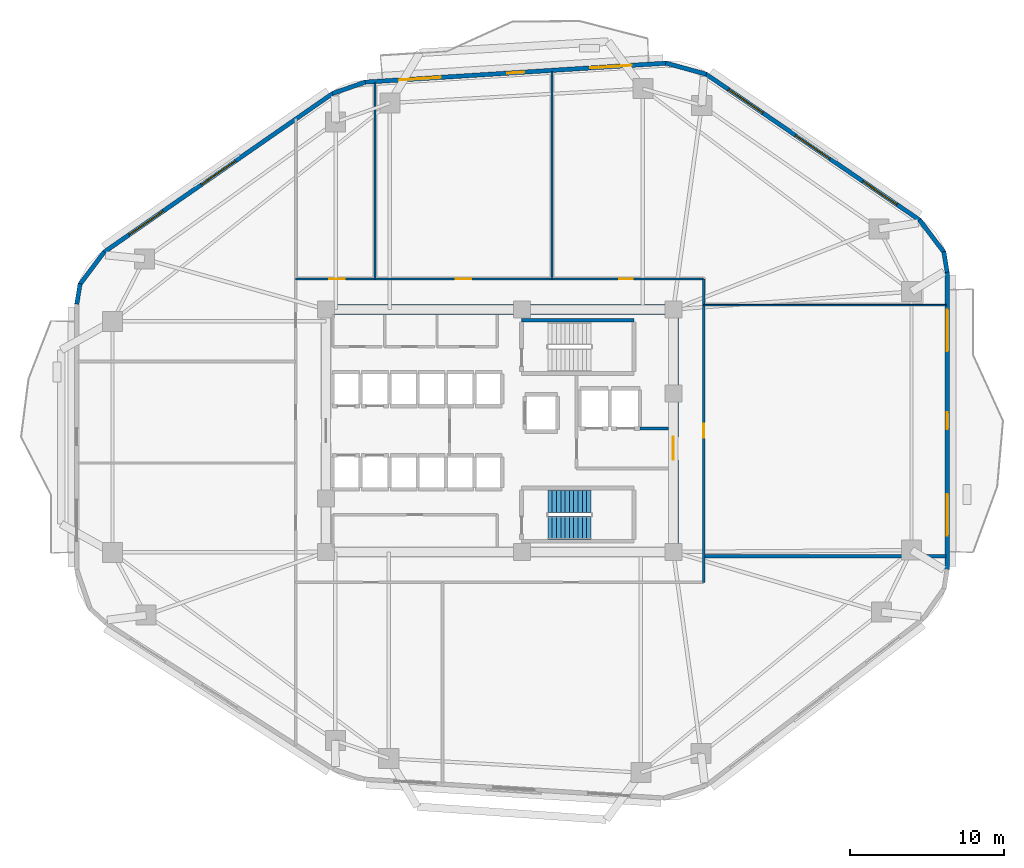
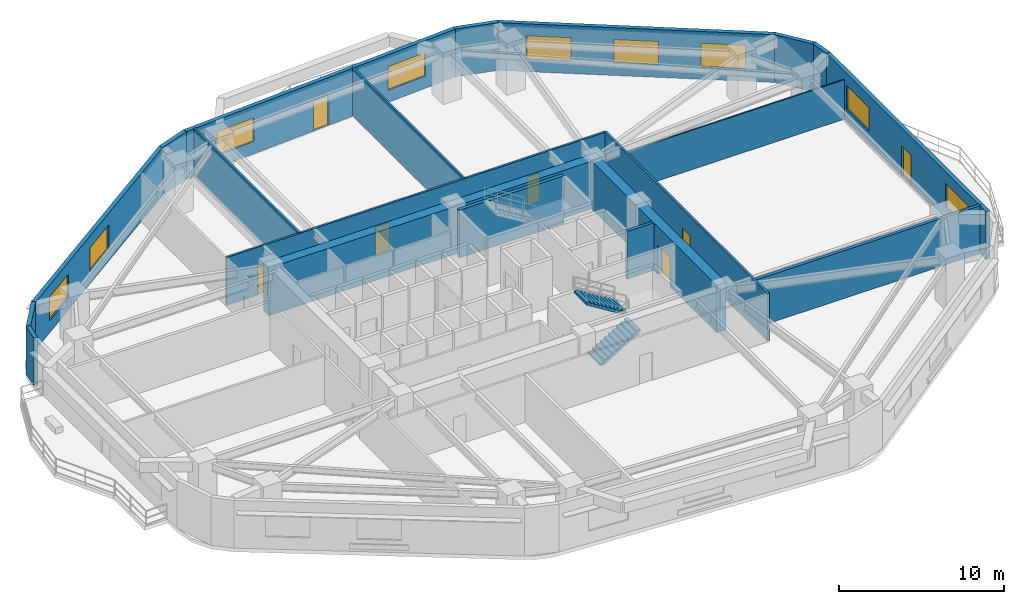
# One storey, part 5 of 9: 20 walls, 9 windows, 7 doors, 2 stair flights, 16 openings, 1 element without a shape of its own.
"""IFC4 building model written with IfcOpenShell, lengths in metres."""

from ifc_helpers import new_model, si_unit, direction, frame, frame_2d, origin, place, context, subcontext, project, spatial, polyline, rectangle, outline, extrude, material, layer, layer_set, type_object, element, fill, aggregate, save


model = new_model("IFC4")

# Units and contexts
model_context = context("Model", 3, precision=1e-05, world=origin(), true_north=direction((0.0, 1.0)))
body_context = subcontext(model_context, "Body", "Model", "MODEL_VIEW")
ifc_project = project(units=[si_unit("LENGTHUNIT", "METRE"), si_unit("AREAUNIT", "SQUARE_METRE"), si_unit("VOLUMEUNIT", "CUBIC_METRE"), si_unit("PLANEANGLEUNIT", "RADIAN"), si_unit("MASSUNIT", "GRAM", prefix="KILO")], contexts=[model_context])

# Site, building, storey
site_placement = place(None, origin())
site = spatial("IfcSite", under=ifc_project, at=site_placement, CompositionType="ELEMENT")
building_placement = place(site_placement, origin())
building = spatial("IfcBuilding", under=site, at=building_placement, Name="Zulverin Broadcast Headquarters", CompositionType="ELEMENT")
storey_placement = place(building_placement, frame((0.0, 0.0, 82.0)))
storey = spatial("IfcBuildingStorey", under=building, at=storey_placement, Name="L20", CompositionType="ELEMENT", Elevation=82.0)

# Walls
ifc_material_1 = material(Name="Double-stud acoustic drywall", Category="gypsum")
ifc_layer_1 = layer(ifc_material_1, 0.219970703125, Name="Double-stud acoustic drywall", Category="gypsum")
ifc_layer_set_1 = layer_set([ifc_layer_1], Name="Double-stud acoustic drywall")
wall_type_1 = type_object("IfcWallType", Name="WL-ACOU-220", PredefinedType="PARTITIONING", material=ifc_layer_set_1)
wall_1_placement = place(storey_placement, frame((50.25, 17.050048828125, 0.0), z_axis=(0.0, 0.0, 1.0), x_axis=(1.0, 0.0, 0.0)))
element("IfcWall", 1, at=wall_1_placement, inside=storey, type_object=wall_type_1, Name="L20 Room Partition Wall RP-07", PredefinedType="PARTITIONING", context=body_context, shape_type="SweptSolid", body=[
    extrude(rectangle(XDim=15.7451171875, YDim=0.219970703125, at=frame_2d((7.87255859375, 0.0))), origin(), (0.0, 0.0, 1.0), 3.52490234375),
])
ifc_material_2 = material(Name="Concrete C60/75", Category="concrete")
ifc_layer_2 = layer(ifc_material_2, 0.64990234375, Name="Concrete C60/75", Category="concrete")
ifc_layer_set_2 = layer_set([ifc_layer_2], Name="Concrete C60/75")
wall_type_2 = type_object("IfcWallType", Name="WL-CORE-650", PredefinedType="SHEAR", material=ifc_layer_set_2)
wall_2_placement = place(storey_placement, frame((25.39990234375, 33.074951171875, 0.0), z_axis=(0.0, 0.0, 1.0), x_axis=(1.0, 0.0, 0.0)))
element("IfcWall", 2, at=wall_2_placement, inside=storey, type_object=wall_type_2, Name="L20 Core North Shear Wall", PredefinedType="SHEAR", context=body_context, shape_type="SweptSolid", body=[
    extrude(rectangle(XDim=23.2001953125, YDim=0.64990234375, at=frame_2d((11.60009765625, 0.0))), origin(), (0.0, 0.0, 1.0), 3.52490234375),
])

# Wall, opening, door
wall_3_placement = place(storey_placement, frame((48.27490234375, 17.64990234375, 0.0), z_axis=(0.0, 0.0, 1.0), x_axis=(0.0, 1.0, 0.0)))
wall_3 = element("IfcWall", 3, at=wall_3_placement, inside=storey, type_object=wall_type_2, Name="L20 Core East Shear Wall", PredefinedType="SHEAR", context=body_context, shape_type="SweptSolid", body=[
    extrude(rectangle(XDim=15.10009765625, YDim=0.64990234375, at=frame_2d((7.550048828125, 0.0))), origin(), (0.0, 0.0, 1.0), 3.52490234375),
])
opening_1_placement = place(wall_3_placement, frame((5.64990234375, 0.0, 0.0)))
opening_1 = element("IfcOpeningElement", 4, at=opening_1_placement, cuts=wall_3, Name="Opening D-L20-CE1", PredefinedType="OPENING", context=body_context, shape_type="SweptSolid", body=[
    extrude(rectangle(XDim=1.5, YDim=2.14990234375, at=frame_2d((0.75, 1.074951171875))), frame((0.0, 0.3349609375, 0.0), z_axis=(0.0, -1.0, 0.0), x_axis=(1.0, 0.0, 0.0)), (0.0, 0.0, 1.0), 0.669921875),
])
ifc_material_3 = material(Name="Fire-rated glazed steel frame", Category="steel")
door_type_1 = type_object("IfcDoorType", Name="DR-COR-1500", OperationType="DOUBLE_DOOR_SINGLE_SWING", PredefinedType="DOOR", material=ifc_material_3)
door_1_placement = place(opening_1_placement, origin())
door_1 = element("IfcDoor", 5, at=door_1_placement, inside=storey, type_object=door_type_1, Name="L20 Firefighting Lobby East Corridor Door", OperationType="DOUBLE_DOOR_SINGLE_SWING", OverallHeight=2.14990234375, OverallWidth=1.5, PredefinedType="DOOR", context=body_context, shape_type="SweptSolid", body=[
    extrude(rectangle(XDim=1.5, YDim=2.14990234375, at=frame_2d((0.75, 1.074951171875))), frame((0.0, 0.02490234375, 0.0), z_axis=(0.0, -1.0, 0.0), x_axis=(1.0, 0.0, 0.0)), (0.0, 0.0, 1.0), 0.050048828125),
])
fill(opening_1, door_1)

# Wall, openings, door, windows
ifc_material_4 = material(Name="Insulated pale-metal clad concrete spandrel C40/50", Category="concrete")
ifc_layer_3 = layer(ifc_material_4, 0.280029296875, Name="Insulated pale-metal clad concrete spandrel C40/50", Category="concrete")
ifc_layer_set_3 = layer_set([ifc_layer_3], Name="Insulated pale-metal clad concrete spandrel C40/50")
wall_type_3 = type_object("IfcWallType", Name="WL-EXT-280", PredefinedType="STANDARD", material=ifc_layer_set_3)
wall_4_placement = place(storey_placement, frame((66.06005859375, 16.183349609375, 0.0), z_axis=(0.0, 0.0, 1.0), x_axis=(0.0, 1.0, 0.0)))
wall_4 = element("IfcWall", 6, at=wall_4_placement, inside=storey, type_object=wall_type_3, Name="L20 Pale-Metal Clad Spandrel Wall 3", PredefinedType="STANDARD", context=body_context, shape_type="SweptSolid", body=[
    extrude(rectangle(XDim=19.3310546875, YDim=0.280029296875, at=frame_2d((9.66552734375, 0.0))), origin(), (0.0, 0.0, 1.0), 3.52490234375),
])
opening_2_placement = place(wall_4_placement, frame((9.115478515625, 0.0, 0.0)))
opening_2 = element("IfcOpeningElement", 7, at=opening_2_placement, cuts=wall_4, Name="Opening D-L20-TR3", PredefinedType="OPENING", context=body_context, shape_type="SweptSolid", body=[
    extrude(rectangle(XDim=1.10009765625, YDim=2.199951171875, at=frame_2d((0.550048828125, 1.10009765625))), frame((0.0, 0.14990234375, 0.0), z_axis=(0.0, -1.0, 0.0), x_axis=(1.0, 0.0, 0.0)), (0.0, 0.0, 1.0), 0.300048828125),
])
opening_3_placement = place(wall_4_placement, frame((2.205078125, 0.0, 0.89990234375)))
opening_3 = element("IfcOpeningElement", 8, at=opening_3_placement, cuts=wall_4, Name="Opening W-L20-E31", PredefinedType="OPENING", context=body_context, shape_type="SweptSolid", body=[
    extrude(rectangle(XDim=2.699951171875, YDim=1.75, at=frame_2d((1.35009765625, 0.875))), frame((0.0, 0.14990234375, 0.0), z_axis=(0.0, -1.0, 0.0), x_axis=(1.0, 0.0, 0.0)), (0.0, 0.0, 1.0), 0.300048828125),
])
opening_4_placement = place(wall_4_placement, frame((14.17578125, 0.0, 0.89990234375)))
opening_4 = element("IfcOpeningElement", 9, at=opening_4_placement, cuts=wall_4, Name="Opening W-L20-E32", PredefinedType="OPENING", context=body_context, shape_type="SweptSolid", body=[
    extrude(rectangle(XDim=2.699951171875, YDim=1.75, at=frame_2d((1.35009765625, 0.875))), frame((0.0, 0.14990234375, 0.0), z_axis=(0.0, -1.0, 0.0), x_axis=(1.0, 0.0, 0.0)), (0.0, 0.0, 1.0), 0.300048828125),
])
ifc_material_5 = material(Name="Thermally broken aluminium glazed", Category="aluminium")
door_type_2 = type_object("IfcDoorType", Name="DR-TERR-1100", OperationType="SINGLE_SWING_RIGHT", PredefinedType="DOOR", material=ifc_material_5)
door_2_placement = place(opening_2_placement, origin())
door_2 = element("IfcDoor", 10, at=door_2_placement, inside=storey, type_object=door_type_2, Name="L20 Planted Terrace Glazed Access Door 3", OperationType="SINGLE_SWING_RIGHT", OverallHeight=2.199951171875, OverallWidth=1.10009765625, PredefinedType="DOOR", context=body_context, shape_type="SweptSolid", body=[
    extrude(rectangle(XDim=1.10009765625, YDim=2.199951171875, at=frame_2d((0.550048828125, 1.10009765625))), frame((0.0, 0.02490234375, 0.0), z_axis=(0.0, -1.0, 0.0), x_axis=(1.0, 0.0, 0.0)), (0.0, 0.0, 1.0), 0.050048828125),
])
fill(opening_2, door_2)
ifc_material_6 = material(Name="Pale anodized aluminium frame with solar-control low-E double glazing", Category="aluminium")
window_type = type_object("IfcWindowType", Name="WIN-TWR-2700", PartitioningType="SINGLE_PANEL", PredefinedType="WINDOW", material=ifc_material_6)
window_1_placement = place(opening_3_placement, origin())
window_1 = element("IfcWindow", 11, at=window_1_placement, inside=storey, type_object=window_type, Name="L20 Ribbon Glazing Window 3 1", OverallHeight=1.75, OverallWidth=2.699951171875, PartitioningType="SINGLE_PANEL", PredefinedType="WINDOW", context=body_context, shape_type="SweptSolid", body=[
    extrude(rectangle(XDim=2.699951171875, YDim=1.75, at=frame_2d((1.35009765625, 0.875))), frame((0.0, 0.030029296875, 0.0), z_axis=(0.0, -1.0, 0.0), x_axis=(1.0, 0.0, 0.0)), (0.0, 0.0, 1.0), 0.06005859375),
])
fill(opening_3, window_1)
window_2_placement = place(opening_4_placement, origin())
window_2 = element("IfcWindow", 12, at=window_2_placement, inside=storey, type_object=window_type, Name="L20 Ribbon Glazing Window 3 2", OverallHeight=1.75, OverallWidth=2.699951171875, PartitioningType="SINGLE_PANEL", PredefinedType="WINDOW", context=body_context, shape_type="SweptSolid", body=[
    extrude(rectangle(XDim=2.699951171875, YDim=1.75, at=frame_2d((1.35009765625, 0.875))), frame((0.0, 0.030029296875, 0.0), z_axis=(0.0, -1.0, 0.0), x_axis=(1.0, 0.0, 0.0)), (0.0, 0.0, 1.0), 0.06005859375),
])
fill(opening_4, window_2)

# Wall, openings, windows
wall_5_placement = place(storey_placement, frame((64.289794921875, 38.8671875, 0.0), z_axis=(0.0, 0.0, 1.0), x_axis=(-0.825755550159, 0.564028165416, 0.0)))
wall_5 = element("IfcWall", 13, at=wall_5_placement, inside=storey, type_object=wall_type_3, Name="L20 Pale-Metal Clad Spandrel Wall 4", PredefinedType="STANDARD", context=body_context, shape_type="SweptSolid", body=[
    extrude(rectangle(XDim=16.848388671875, YDim=0.280029296875, at=frame_2d((8.42431640625, 0.0))), origin(), (0.0, 0.0, 1.0), 3.52490234375),
])
opening_5_placement = place(wall_5_placement, frame((1.79150390625, 0.0, 0.89990234375)))
opening_5 = element("IfcOpeningElement", 14, at=opening_5_placement, cuts=wall_5, Name="Opening W-L20-E41", PredefinedType="OPENING", context=body_context, shape_type="SweptSolid", body=[
    extrude(rectangle(XDim=2.699951171875, YDim=1.75, at=frame_2d((1.35009765625, 0.875))), frame((0.0, 0.14990234375, 0.0), z_axis=(0.0, -1.0, 0.0), x_axis=(1.0, 0.0, 0.0)), (0.0, 0.0, 1.0), 0.300048828125),
])
opening_6_placement = place(wall_5_placement, frame((7.07421875, 0.0, 0.89990234375)))
opening_6 = element("IfcOpeningElement", 15, at=opening_6_placement, cuts=wall_5, Name="Opening W-L20-E42", PredefinedType="OPENING", context=body_context, shape_type="SweptSolid", body=[
    extrude(rectangle(XDim=2.699951171875, YDim=1.75, at=frame_2d((1.35009765625, 0.875))), frame((0.0, 0.14990234375, 0.0), z_axis=(0.0, -1.0, 0.0), x_axis=(1.0, 0.0, 0.0)), (0.0, 0.0, 1.0), 0.300048828125),
])
opening_7_placement = place(wall_5_placement, frame((12.35693359375, 0.0, 0.89990234375)))
opening_7 = element("IfcOpeningElement", 16, at=opening_7_placement, cuts=wall_5, Name="Opening W-L20-E43", PredefinedType="OPENING", context=body_context, shape_type="SweptSolid", body=[
    extrude(rectangle(XDim=2.699951171875, YDim=1.75, at=frame_2d((1.35009765625, 0.875))), frame((0.0, 0.14990234375, 0.0), z_axis=(0.0, -1.0, 0.0), x_axis=(1.0, 0.0, 0.0)), (0.0, 0.0, 1.0), 0.300048828125),
])
window_3_placement = place(opening_5_placement, origin())
window_3 = element("IfcWindow", 17, at=window_3_placement, inside=storey, type_object=window_type, Name="L20 Ribbon Glazing Window 4 1", OverallHeight=1.75, OverallWidth=2.699951171875, PartitioningType="SINGLE_PANEL", PredefinedType="WINDOW", context=body_context, shape_type="SweptSolid", body=[
    extrude(rectangle(XDim=2.699951171875, YDim=1.75, at=frame_2d((1.35009765625, 0.875))), frame((0.0, 0.030029296875, 0.0), z_axis=(0.0, -1.0, 0.0), x_axis=(1.0, 0.0, 0.0)), (0.0, 0.0, 1.0), 0.06005859375),
])
fill(opening_5, window_3)
window_4_placement = place(opening_6_placement, origin())
window_4 = element("IfcWindow", 18, at=window_4_placement, inside=storey, type_object=window_type, Name="L20 Ribbon Glazing Window 4 2", OverallHeight=1.75, OverallWidth=2.699951171875, PartitioningType="SINGLE_PANEL", PredefinedType="WINDOW", context=body_context, shape_type="SweptSolid", body=[
    extrude(rectangle(XDim=2.699951171875, YDim=1.75, at=frame_2d((1.35009765625, 0.875))), frame((0.0, 0.030029296875, 0.0), z_axis=(0.0, -1.0, 0.0), x_axis=(1.0, 0.0, 0.0)), (0.0, 0.0, 1.0), 0.06005859375),
])
fill(opening_6, window_4)
window_5_placement = place(opening_7_placement, origin())
window_5 = element("IfcWindow", 19, at=window_5_placement, inside=storey, type_object=window_type, Name="L20 Ribbon Glazing Window 4 3", OverallHeight=1.75, OverallWidth=2.699951171875, PartitioningType="SINGLE_PANEL", PredefinedType="WINDOW", context=body_context, shape_type="SweptSolid", body=[
    extrude(rectangle(XDim=2.699951171875, YDim=1.75, at=frame_2d((1.35009765625, 0.875))), frame((0.0, 0.030029296875, 0.0), z_axis=(0.0, -1.0, 0.0), x_axis=(1.0, 0.0, 0.0)), (0.0, 0.0, 1.0), 0.06005859375),
])
fill(opening_7, window_5)

# Wall, openings, door, windows
wall_6_placement = place(storey_placement, frame((47.831787109375, 49.0693359375, 0.0), z_axis=(0.0, 0.0, 1.0), x_axis=(-0.998017725054, -0.062933460723, 0.0)))
wall_6 = element("IfcWall", 20, at=wall_6_placement, inside=storey, type_object=wall_type_3, Name="L20 Pale-Metal Clad Spandrel Wall 5", PredefinedType="STANDARD", context=body_context, shape_type="SweptSolid", body=[
    extrude(rectangle(XDim=19.62939453125, YDim=0.280029296875, at=frame_2d((9.814697265625, 0.0))), origin(), (0.0, 0.0, 1.0), 3.52490234375),
])
opening_8_placement = place(wall_6_placement, frame((9.264892578125, 0.0, 0.0)))
opening_8 = element("IfcOpeningElement", 21, at=opening_8_placement, cuts=wall_6, Name="Opening D-L20-TR5", PredefinedType="OPENING", context=body_context, shape_type="SweptSolid", body=[
    extrude(rectangle(XDim=1.10009765625, YDim=2.199951171875, at=frame_2d((0.550048828125, 1.10009765625))), frame((0.0, 0.14990234375, 0.0), z_axis=(0.0, -1.0, 0.0), x_axis=(1.0, 0.0, 0.0)), (0.0, 0.0, 1.0), 0.300048828125),
])
opening_9_placement = place(wall_6_placement, frame((2.2548828125, 0.0, 0.89990234375)))
opening_9 = element("IfcOpeningElement", 22, at=opening_9_placement, cuts=wall_6, Name="Opening W-L20-E51", PredefinedType="OPENING", context=body_context, shape_type="SweptSolid", body=[
    extrude(rectangle(XDim=2.699951171875, YDim=1.75, at=frame_2d((1.35009765625, 0.875))), frame((0.0, 0.14990234375, 0.0), z_axis=(0.0, -1.0, 0.0), x_axis=(1.0, 0.0, 0.0)), (0.0, 0.0, 1.0), 0.300048828125),
])
opening_10_placement = place(wall_6_placement, frame((14.674560546875, 0.0, 0.89990234375)))
opening_10 = element("IfcOpeningElement", 23, at=opening_10_placement, cuts=wall_6, Name="Opening W-L20-E52", PredefinedType="OPENING", context=body_context, shape_type="SweptSolid", body=[
    extrude(rectangle(XDim=2.699951171875, YDim=1.75, at=frame_2d((1.35009765625, 0.875))), frame((0.0, 0.14990234375, 0.0), z_axis=(0.0, -1.0, 0.0), x_axis=(1.0, 0.0, 0.0)), (0.0, 0.0, 1.0), 0.300048828125),
])
door_3_placement = place(opening_8_placement, origin())
door_3 = element("IfcDoor", 24, at=door_3_placement, inside=storey, type_object=door_type_2, Name="L20 Planted Terrace Glazed Access Door 5", OperationType="SINGLE_SWING_RIGHT", OverallHeight=2.199951171875, OverallWidth=1.10009765625, PredefinedType="DOOR", context=body_context, shape_type="SweptSolid", body=[
    extrude(rectangle(XDim=1.10009765625, YDim=2.199951171875, at=frame_2d((0.550048828125, 1.10009765625))), frame((0.0, 0.02490234375, 0.0), z_axis=(0.0, -1.0, 0.0), x_axis=(1.0, 0.0, 0.0)), (0.0, 0.0, 1.0), 0.050048828125),
])
fill(opening_8, door_3)
window_6_placement = place(opening_9_placement, origin())
window_6 = element("IfcWindow", 25, at=window_6_placement, inside=storey, type_object=window_type, Name="L20 Ribbon Glazing Window 5 1", OverallHeight=1.75, OverallWidth=2.699951171875, PartitioningType="SINGLE_PANEL", PredefinedType="WINDOW", context=body_context, shape_type="SweptSolid", body=[
    extrude(rectangle(XDim=2.699951171875, YDim=1.75, at=frame_2d((1.35009765625, 0.875))), frame((0.0, 0.030029296875, 0.0), z_axis=(0.0, -1.0, 0.0), x_axis=(1.0, 0.0, 0.0)), (0.0, 0.0, 1.0), 0.06005859375),
])
fill(opening_9, window_6)
window_7_placement = place(opening_10_placement, origin())
window_7 = element("IfcWindow", 26, at=window_7_placement, inside=storey, type_object=window_type, Name="L20 Ribbon Glazing Window 5 2", OverallHeight=1.75, OverallWidth=2.699951171875, PartitioningType="SINGLE_PANEL", PredefinedType="WINDOW", context=body_context, shape_type="SweptSolid", body=[
    extrude(rectangle(XDim=2.699951171875, YDim=1.75, at=frame_2d((1.35009765625, 0.875))), frame((0.0, 0.030029296875, 0.0), z_axis=(0.0, -1.0, 0.0), x_axis=(1.0, 0.0, 0.0)), (0.0, 0.0, 1.0), 0.06005859375),
])
fill(opening_10, window_7)

# Wall, openings, windows
wall_7_placement = place(storey_placement, frame((26.181884765625, 47.11767578125, 0.0), z_axis=(0.0, 0.0, 1.0), x_axis=(-0.821547956627, -0.570139417127, 0.0)))
wall_7 = element("IfcWall", 27, at=wall_7_placement, inside=storey, type_object=wall_type_3, Name="L20 Pale-Metal Clad Spandrel Wall 6", PredefinedType="STANDARD", context=body_context, shape_type="SweptSolid", body=[
    extrude(rectangle(XDim=18.13232421875, YDim=0.280029296875, at=frame_2d((9.066162109375, 0.0))), origin(), (0.0, 0.0, 1.0), 3.52490234375),
])
opening_11_placement = place(wall_7_placement, frame((7.716064453125, 0.0, 0.89990234375)))
opening_11 = element("IfcOpeningElement", 28, at=opening_11_placement, cuts=wall_7, Name="Opening W-L20-E61", PredefinedType="OPENING", context=body_context, shape_type="SweptSolid", body=[
    extrude(rectangle(XDim=2.699951171875, YDim=1.75, at=frame_2d((1.35009765625, 0.875))), frame((0.0, 0.14990234375, 0.0), z_axis=(0.0, -1.0, 0.0), x_axis=(1.0, 0.0, 0.0)), (0.0, 0.0, 1.0), 0.300048828125),
])
opening_12_placement = place(wall_7_placement, frame((13.427001953125, 0.0, 0.89990234375)))
opening_12 = element("IfcOpeningElement", 29, at=opening_12_placement, cuts=wall_7, Name="Opening W-L20-E62", PredefinedType="OPENING", context=body_context, shape_type="SweptSolid", body=[
    extrude(rectangle(XDim=2.699951171875, YDim=1.75, at=frame_2d((1.35009765625, 0.875))), frame((0.0, 0.14990234375, 0.0), z_axis=(0.0, -1.0, 0.0), x_axis=(1.0, 0.0, 0.0)), (0.0, 0.0, 1.0), 0.300048828125),
])
window_8_placement = place(opening_11_placement, origin())
window_8 = element("IfcWindow", 30, at=window_8_placement, inside=storey, type_object=window_type, Name="L20 Ribbon Glazing Window 6 1", OverallHeight=1.75, OverallWidth=2.699951171875, PartitioningType="SINGLE_PANEL", PredefinedType="WINDOW", context=body_context, shape_type="SweptSolid", body=[
    extrude(rectangle(XDim=2.699951171875, YDim=1.75, at=frame_2d((1.35009765625, 0.875))), frame((0.0, 0.030029296875, 0.0), z_axis=(0.0, -1.0, 0.0), x_axis=(1.0, 0.0, 0.0)), (0.0, 0.0, 1.0), 0.06005859375),
])
fill(opening_11, window_8)
window_9_placement = place(opening_12_placement, origin())
window_9 = element("IfcWindow", 31, at=window_9_placement, inside=storey, type_object=window_type, Name="L20 Ribbon Glazing Window 6 2", OverallHeight=1.75, OverallWidth=2.699951171875, PartitioningType="SINGLE_PANEL", PredefinedType="WINDOW", context=body_context, shape_type="SweptSolid", body=[
    extrude(rectangle(XDim=2.699951171875, YDim=1.75, at=frame_2d((1.35009765625, 0.875))), frame((0.0, 0.030029296875, 0.0), z_axis=(0.0, -1.0, 0.0), x_axis=(1.0, 0.0, 0.0)), (0.0, 0.0, 1.0), 0.06005859375),
])
fill(opening_12, window_9)

# Walls
wall_8_placement = place(storey_placement, frame((66.061767578125, 35.491943359375, 0.0), z_axis=(0.0, 0.0, 1.0), x_axis=(-0.161182073582, 0.986924687682, 0.0)))
element("IfcWall", 32, at=wall_8_placement, inside=storey, type_object=wall_type_3, Name="L20 Wind-Shaped Corner Spandrel Wall 3-1", PredefinedType="STANDARD", context=body_context, shape_type="SweptSolid", body=[
    extrude(rectangle(XDim=1.354248046875, YDim=0.280029296875, at=frame_2d((0.67724609375, 0.0))), origin(), (0.0, 0.0, 1.0), 3.52490234375),
])
wall_9_placement = place(storey_placement, frame((65.8701171875, 36.7666015625, 0.0), z_axis=(0.0, 0.0, 1.0), x_axis=(-0.603370463754, 0.797461023166, 0.0)))
element("IfcWall", 33, at=wall_9_placement, inside=storey, type_object=wall_type_3, Name="L20 Wind-Shaped Corner Spandrel Wall 3-2", PredefinedType="STANDARD", context=body_context, shape_type="SweptSolid", body=[
    extrude(rectangle(XDim=2.6728515625, YDim=0.280029296875, at=frame_2d((1.33642578125, 0.0))), origin(), (0.0, 0.0, 1.0), 3.52490234375),
])
wall_10_placement = place(storey_placement, frame((50.419189453125, 48.3505859375, 0.0), z_axis=(0.0, 0.0, 1.0), x_axis=(-0.964254516967, 0.264977784933, 0.0)))
element("IfcWall", 34, at=wall_10_placement, inside=storey, type_object=wall_type_3, Name="L20 Wind-Shaped Corner Spandrel Wall 4-1", PredefinedType="STANDARD", context=body_context, shape_type="SweptSolid", body=[
    extrude(rectangle(XDim=2.73095703125, YDim=0.280029296875, at=frame_2d((1.365478515625, 0.0))), origin(), (0.0, 0.0, 1.0), 3.52490234375),
])
wall_11_placement = place(storey_placement, frame((28.2783203125, 47.841552734375, 0.0), z_axis=(0.0, 0.0, 1.0), x_axis=(-0.9444559001, -0.328638179106, 0.0)))
element("IfcWall", 35, at=wall_11_placement, inside=storey, type_object=wall_type_3, Name="L20 Wind-Shaped Corner Spandrel Wall 5-1", PredefinedType="STANDARD", context=body_context, shape_type="SweptSolid", body=[
    extrude(rectangle(XDim=2.25537109375, YDim=0.280029296875, at=frame_2d((1.127685546875, 0.0))), origin(), (0.0, 0.0, 1.0), 3.52490234375),
])
wall_12_placement = place(storey_placement, frame((11.317626953125, 36.81103515625, 0.0), z_axis=(0.0, 0.0, 1.0), x_axis=(-0.599455152629, -0.800408345775, 0.0)))
element("IfcWall", 36, at=wall_12_placement, inside=storey, type_object=wall_type_3, Name="L20 Wind-Shaped Corner Spandrel Wall 6-1", PredefinedType="STANDARD", context=body_context, shape_type="SweptSolid", body=[
    extrude(rectangle(XDim=2.6533203125, YDim=0.280029296875, at=frame_2d((1.32666015625, 0.0))), origin(), (0.0, 0.0, 1.0), 3.52490234375),
])
wall_13_placement = place(storey_placement, frame((9.753173828125, 34.748779296875, 0.0), z_axis=(0.0, 0.0, 1.0), x_axis=(-0.160037671962, -0.987110907423, 0.0)))
element("IfcWall", 37, at=wall_13_placement, inside=storey, type_object=wall_type_3, Name="L20 Wind-Shaped Corner Spandrel Wall 6-2", PredefinedType="STANDARD", context=body_context, shape_type="SweptSolid", body=[
    extrude(rectangle(XDim=1.343994140625, YDim=0.280029296875, at=frame_2d((0.671875, 0.0))), origin(), (0.0, 0.0, 1.0), 3.52490234375),
])
ifc_material_7 = material(Name="Concrete C40/50", Category="concrete")
ifc_layer_4 = layer(ifc_material_7, 0.199951171875, Name="Concrete C40/50", Category="concrete")
ifc_layer_set_4 = layer_set([ifc_layer_4], Name="Concrete C40/50")
wall_type_4 = type_object("IfcWallType", Name="WL-FFL-200", PredefinedType="SOLIDWALL", material=ifc_layer_set_4)
wall_14_placement = place(storey_placement, frame((46.10009765625, 25.35009765625, 0.0), z_axis=(0.0, 0.0, 1.0), x_axis=(1.0, 0.0, 0.0)))
element("IfcWall", 38, at=wall_14_placement, inside=storey, type_object=wall_type_4, Name="L20 Firefighting Lift Lobby North Wall", PredefinedType="SOLIDWALL", context=body_context, shape_type="SweptSolid", body=[
    extrude(rectangle(XDim=1.849853515625, YDim=0.199951171875, at=frame_2d((0.9248046875, 0.0))), origin(), (0.0, 0.0, 1.0), 3.52490234375),
])
ifc_material_8 = material(Name="Fire-rated acoustic laminated glass screen", Category="glass")
ifc_layer_5 = layer(ifc_material_8, 0.10009765625, Name="Fire-rated acoustic laminated glass screen", Category="glass")
ifc_layer_set_5 = layer_set([ifc_layer_5], Name="Fire-rated acoustic laminated glass screen")
wall_type_5 = type_object("IfcWallType", Name="WL-GLAZ-100", PredefinedType="PARTITIONING", material=ifc_layer_set_5)
wall_15_placement = place(storey_placement, frame((50.25, 33.35009765625, 0.0), z_axis=(0.0, 0.0, 1.0), x_axis=(1.0, 0.0, 0.0)))
element("IfcWall", 39, at=wall_15_placement, inside=storey, type_object=wall_type_5, Name="L20 Room Partition Wall RP-10", PredefinedType="PARTITIONING", context=body_context, shape_type="SweptSolid", body=[
    extrude(rectangle(XDim=15.7451171875, YDim=0.10009765625, at=frame_2d((7.87255859375, 0.0))), origin(), (0.0, 0.0, 1.0), 2.90771484375),
])

# Wall, opening, door
ifc_material_9 = material(Name="Fire-rated gypsum stud partition", Category="gypsum")
ifc_layer_6 = layer(ifc_material_9, 0.14990234375, Name="Fire-rated gypsum stud partition", Category="gypsum")
ifc_layer_set_6 = layer_set([ifc_layer_6], Name="Fire-rated gypsum stud partition")
wall_type_6 = type_object("IfcWallType", Name="WL-PART-150", PredefinedType="PARTITIONING", material=ifc_layer_set_6)
wall_16_placement = place(storey_placement, frame((50.25, 15.35009765625, 0.0), z_axis=(0.0, 0.0, 1.0), x_axis=(0.0, 1.0, 0.0)))
wall_16 = element("IfcWall", 40, at=wall_16_placement, inside=storey, type_object=wall_type_6, Name="L20 Gallery Partition Wall CG-01", PredefinedType="PARTITIONING", context=body_context, shape_type="SweptSolid", body=[
    extrude(rectangle(XDim=19.699951171875, YDim=0.14990234375, at=frame_2d((9.85009765625, 0.0))), origin(), (0.0, 0.0, 1.0), 3.52490234375),
])
opening_13_placement = place(wall_16_placement, frame((9.39990234375, 0.0, 0.0)))
opening_13 = element("IfcOpeningElement", 41, at=opening_13_placement, cuts=wall_16, Name="Opening D-L20-09", PredefinedType="OPENING", context=body_context, shape_type="SweptSolid", body=[
    extrude(rectangle(XDim=0.89990234375, YDim=2.10009765625, at=frame_2d((0.449951171875, 1.050048828125))), frame((0.0, 0.0849609375, 0.0), z_axis=(0.0, -1.0, 0.0), x_axis=(1.0, 0.0, 0.0)), (0.0, 0.0, 1.0), 0.169921875),
])
ifc_material_10 = material(Name="Fire-rated hardwood veneer timber leaf", Category="wood")
door_type_3 = type_object("IfcDoorType", Name="DR-ROOM-900", OperationType="SINGLE_SWING_RIGHT", PredefinedType="DOOR", material=ifc_material_10)
door_4_placement = place(opening_13_placement, origin())
door_4 = element("IfcDoor", 42, at=door_4_placement, inside=storey, type_object=door_type_3, Name="L20 Interview Room Door", OperationType="SINGLE_SWING_RIGHT", OverallHeight=2.10009765625, OverallWidth=0.89990234375, PredefinedType="DOOR", context=body_context, shape_type="SweptSolid", body=[
    extrude(rectangle(XDim=0.89990234375, YDim=2.10009765625, at=frame_2d((0.449951171875, 1.050048828125))), frame((0.0, 0.02490234375, 0.0), z_axis=(0.0, -1.0, 0.0), x_axis=(1.0, 0.0, 0.0)), (0.0, 0.0, 1.0), 0.050048828125),
])
fill(opening_13, door_4)

# Walls
wall_17_placement = place(storey_placement, frame((40.39990234375, 35.050048828125, 0.0), z_axis=(0.0, 0.0, 1.0), x_axis=(0.0, 1.0, 0.0)))
element("IfcWall", 43, at=wall_17_placement, inside=storey, type_object=wall_type_6, Name="L20 Room Partition Wall RP-02", PredefinedType="PARTITIONING", context=body_context, shape_type="SweptSolid", body=[
    extrude(rectangle(XDim=13.48583984375, YDim=0.14990234375, at=frame_2d((6.742919921875, 0.0))), origin(), (0.0, 0.0, 1.0), 3.52490234375),
])
wall_18_placement = place(storey_placement, frame((28.89990234375, 35.050048828125, 0.0), z_axis=(0.0, 0.0, 1.0), x_axis=(0.0, 1.0, 0.0)))
element("IfcWall", 44, at=wall_18_placement, inside=storey, type_object=wall_type_6, Name="L20 Room Partition Wall RP-04", PredefinedType="PARTITIONING", context=body_context, shape_type="SweptSolid", body=[
    extrude(rectangle(XDim=12.7607421875, YDim=0.14990234375, at=frame_2d((6.38037109375, 0.0))), origin(), (0.0, 0.0, 1.0), 3.52490234375),
])

# Wall, openings, doors
wall_19_placement = place(storey_placement, frame((23.75, 35.050048828125, 0.0), z_axis=(0.0, 0.0, 1.0), x_axis=(1.0, 0.0, 0.0)))
wall_19 = element("IfcWall", 45, at=wall_19_placement, inside=storey, type_object=wall_type_6, Name="L20 Gallery Partition Wall CG-11", PredefinedType="PARTITIONING", context=body_context, shape_type="SweptSolid", body=[
    extrude(rectangle(XDim=26.5, YDim=0.14990234375, at=frame_2d((13.25, 0.0))), origin(), (0.0, 0.0, 1.0), 3.52490234375),
])
opening_14_placement = place(wall_19_placement, frame((2.195068359375, 0.0, 0.0)))
opening_14 = element("IfcOpeningElement", 46, at=opening_14_placement, cuts=wall_19, Name="Opening D-L20-01", PredefinedType="OPENING", context=body_context, shape_type="SweptSolid", body=[
    extrude(rectangle(XDim=1.0, YDim=2.1201171875, at=frame_2d((0.5, 1.06005859375))), frame((0.0, 0.0849609375, 0.0), z_axis=(0.0, -1.0, 0.0), x_axis=(1.0, 0.0, 0.0)), (0.0, 0.0, 1.0), 0.169921875),
])
opening_15_placement = place(wall_19_placement, frame((10.39990234375, 0.0, 0.0)))
opening_15 = element("IfcOpeningElement", 47, at=opening_15_placement, cuts=wall_19, Name="Opening D-L20-02", PredefinedType="OPENING", context=body_context, shape_type="SweptSolid", body=[
    extrude(rectangle(XDim=1.0, YDim=2.1201171875, at=frame_2d((0.5, 1.06005859375))), frame((0.0, 0.0849609375, 0.0), z_axis=(0.0, -1.0, 0.0), x_axis=(1.0, 0.0, 0.0)), (0.0, 0.0, 1.0), 0.169921875),
])
opening_16_placement = place(wall_19_placement, frame((21.0048828125, 0.0, 0.0)))
opening_16 = element("IfcOpeningElement", 48, at=opening_16_placement, cuts=wall_19, Name="Opening D-L20-03", PredefinedType="OPENING", context=body_context, shape_type="SweptSolid", body=[
    extrude(rectangle(XDim=0.89990234375, YDim=2.10009765625, at=frame_2d((0.449951171875, 1.050048828125))), frame((0.0, 0.0849609375, 0.0), z_axis=(0.0, -1.0, 0.0), x_axis=(1.0, 0.0, 0.0)), (0.0, 0.0, 1.0), 0.169921875),
])
ifc_material_11 = material(Name="Hardwood veneer acoustic leaf", Category="wood")
door_type_4 = type_object("IfcDoorType", Name="DR-OFF-1000", OperationType="SINGLE_SWING_LEFT", PredefinedType="DOOR", material=ifc_material_11)
door_5_placement = place(opening_14_placement, origin())
door_5 = element("IfcDoor", 49, at=door_5_placement, inside=storey, type_object=door_type_4, Name="L20 Digital Media Office Door", OperationType="SINGLE_SWING_RIGHT", OverallHeight=2.1201171875, OverallWidth=1.0, PredefinedType="DOOR", context=body_context, shape_type="SweptSolid", body=[
    extrude(rectangle(XDim=1.0, YDim=2.1201171875, at=frame_2d((0.5, 1.06005859375))), frame((0.0, 0.02490234375, 0.0), z_axis=(0.0, -1.0, 0.0), x_axis=(1.0, 0.0, 0.0)), (0.0, 0.0, 1.0), 0.050048828125),
])
fill(opening_14, door_5)
door_6_placement = place(opening_15_placement, origin())
door_6 = element("IfcDoor", 50, at=door_6_placement, inside=storey, type_object=door_type_4, Name="L20 Investigative Office Door", OperationType="SINGLE_SWING_LEFT", OverallHeight=2.1201171875, OverallWidth=1.0, PredefinedType="DOOR", context=body_context, shape_type="SweptSolid", body=[
    extrude(rectangle(XDim=1.0, YDim=2.1201171875, at=frame_2d((0.5, 1.06005859375))), frame((0.0, 0.02490234375, 0.0), z_axis=(0.0, -1.0, 0.0), x_axis=(1.0, 0.0, 0.0)), (0.0, 0.0, 1.0), 0.050048828125),
])
fill(opening_15, door_6)
door_7_placement = place(opening_16_placement, origin())
door_7 = element("IfcDoor", 51, at=door_7_placement, inside=storey, type_object=door_type_3, Name="L20 Broadcast Exhibition Gallery Door", OperationType="SINGLE_SWING_RIGHT", OverallHeight=2.10009765625, OverallWidth=0.89990234375, PredefinedType="DOOR", context=body_context, shape_type="SweptSolid", body=[
    extrude(rectangle(XDim=0.89990234375, YDim=2.10009765625, at=frame_2d((0.449951171875, 1.050048828125))), frame((0.0, 0.02490234375, 0.0), z_axis=(0.0, -1.0, 0.0), x_axis=(1.0, 0.0, 0.0)), (0.0, 0.0, 1.0), 0.050048828125),
])
fill(opening_16, door_7)

# Wall
ifc_material_12 = material(Name="Concrete C50/60", Category="concrete")
ifc_layer_7 = layer(ifc_material_12, 0.25, Name="Concrete C50/60", Category="concrete")
ifc_layer_set_7 = layer_set([ifc_layer_7], Name="Concrete C50/60")
wall_type_7 = type_object("IfcWallType", Name="WL-SHAFT-250", PredefinedType="SHEAR", material=ifc_layer_set_7)
wall_20_placement = place(storey_placement, frame((38.425048828125, 32.375, 0.0), z_axis=(0.0, 0.0, 1.0), x_axis=(1.0, 0.0, 0.0)))
element("IfcWall", 52, at=wall_20_placement, inside=storey, type_object=wall_type_7, Name="L20 ST-1 Enclosure Wall N", PredefinedType="SHEAR", context=body_context, shape_type="SweptSolid", body=[
    extrude(rectangle(XDim=7.300048828125, YDim=0.25, at=frame_2d((3.64990234375, 0.0))), origin(), (0.0, 0.0, 1.0), 3.52490234375),
])

# Stair, stair flights
stair_type = type_object("IfcStairType", Name="ST-CORE-1500", PredefinedType="HALF_TURN_STAIR", material=ifc_material_7)
stair_placement = place(storey_placement, origin())
stair = element("IfcStair", 53, at=stair_placement, inside=storey, type_object=stair_type, Name="L20 Core Exit Stair ST-2", PredefinedType="HALF_TURN_STAIR")
stair_flight_type = type_object("IfcStairFlightType", Name="SF-CORE-1500", PredefinedType="STRAIGHT", material=ifc_material_7)
stair_flight_1_placement = place(storey_placement, frame((40.1298828125, 18.89990234375, 0.0), z_axis=(0.0, 0.0, 1.0), x_axis=(1.0, 0.0, 0.0)))
stair_flight_1 = element("IfcStairFlight", 54, at=stair_flight_1_placement, type_object=stair_flight_type, Name="ST-2 flight 1", NumberOfRisers=11, NumberOfTreads=10, PredefinedType="STRAIGHT", RiserHeight=0.172727273, TreadLength=0.28, context=body_context, shape_type="SweptSolid", body=[
    extrude(outline(polyline([(0.0, 0.0), (0.0, 0.172607421875), (0.280029296875, 0.172607421875), (0.280029296875, 0.345458984375), (0.56005859375, 0.345458984375), (0.56005859375, 0.51806640625), (0.840087890625, 0.51806640625), (0.840087890625, 0.69091796875), (1.1201171875, 0.69091796875), (1.1201171875, 0.863525390625), (1.39990234375, 0.863525390625), (1.39990234375, 1.036376953125), (1.679931640625, 1.036376953125), (1.679931640625, 1.208984375), (1.9599609375, 1.208984375), (1.9599609375, 1.3818359375), (2.239990234375, 1.3818359375), (2.239990234375, 1.554443359375), (2.52001953125, 1.554443359375), (2.52001953125, 1.727294921875), (2.800048828125, 1.727294921875), (2.800048828125, 1.89990234375), (2.800048828125, 1.551025390625), (0.285400390625, 0.0), (0.0, 0.0)])), frame((0.0, 0.75, 0.0), z_axis=(0.0, -1.0, 0.0), x_axis=(1.0, 0.0, 0.0)), (0.0, 0.0, 1.0), 1.5),
])
stair_flight_2_placement = place(storey_placement, frame((42.929931640625, 20.60009765625, 1.89990234375), z_axis=(0.0, 0.0, 1.0), x_axis=(-1.0, 0.0, 0.0)))
stair_flight_2 = element("IfcStairFlight", 55, at=stair_flight_2_placement, type_object=stair_flight_type, Name="ST-2 flight 2", NumberOfRisers=11, NumberOfTreads=10, PredefinedType="STRAIGHT", RiserHeight=0.172727273, TreadLength=0.28, context=body_context, shape_type="SweptSolid", body=[
    extrude(outline(polyline([(0.0, 0.0), (0.0, 0.172607421875), (0.280029296875, 0.172607421875), (0.280029296875, 0.345458984375), (0.56005859375, 0.345458984375), (0.56005859375, 0.51806640625), (0.840087890625, 0.51806640625), (0.840087890625, 0.69091796875), (1.1201171875, 0.69091796875), (1.1201171875, 0.863525390625), (1.39990234375, 0.863525390625), (1.39990234375, 1.036376953125), (1.679931640625, 1.036376953125), (1.679931640625, 1.208984375), (1.9599609375, 1.208984375), (1.9599609375, 1.3818359375), (2.239990234375, 1.3818359375), (2.239990234375, 1.554443359375), (2.52001953125, 1.554443359375), (2.52001953125, 1.727294921875), (2.800048828125, 1.727294921875), (2.800048828125, 1.89990234375), (2.800048828125, 1.551025390625), (0.285400390625, 0.0), (0.0, 0.0)])), frame((0.0, 0.75, 0.0), z_axis=(0.0, -1.0, 0.0), x_axis=(1.0, 0.0, 0.0)), (0.0, 0.0, 1.0), 1.5),
])
aggregate(stair, [stair_flight_1, stair_flight_2])

save(model, "model.ifc")
